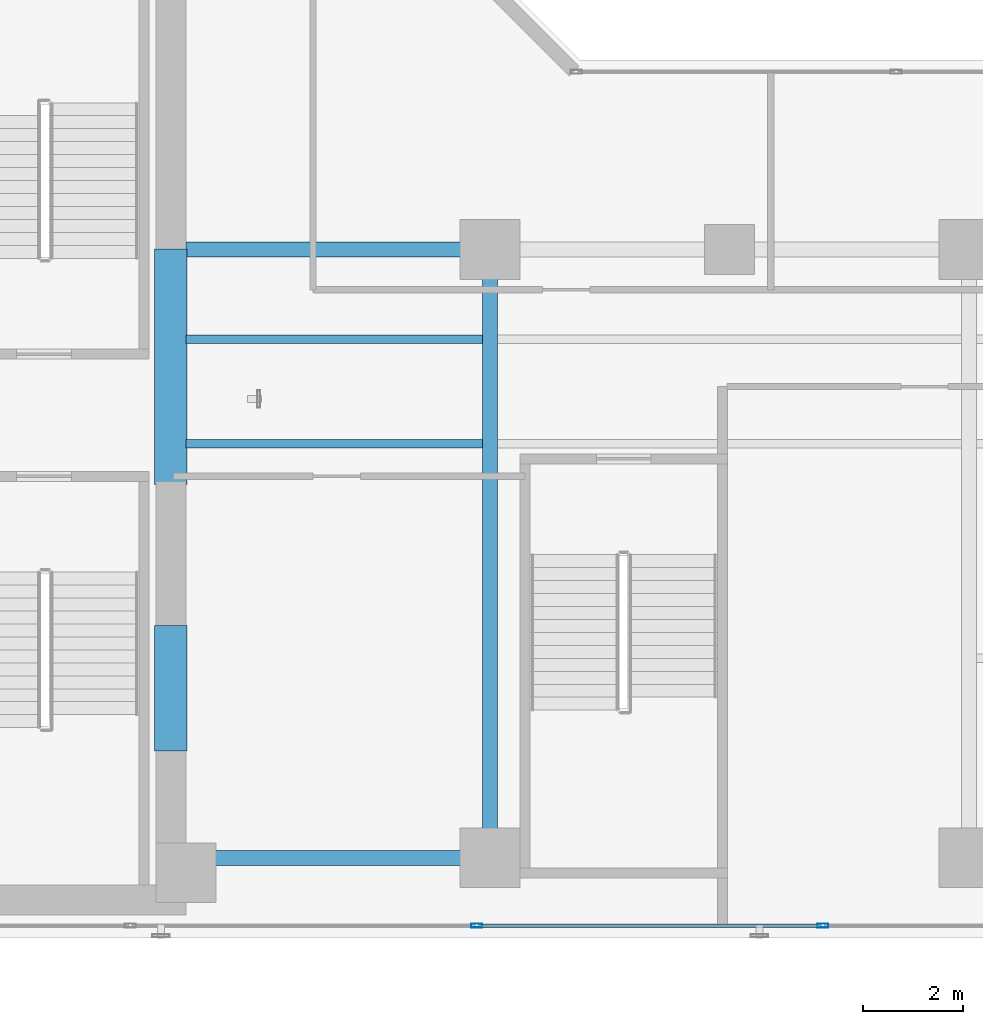
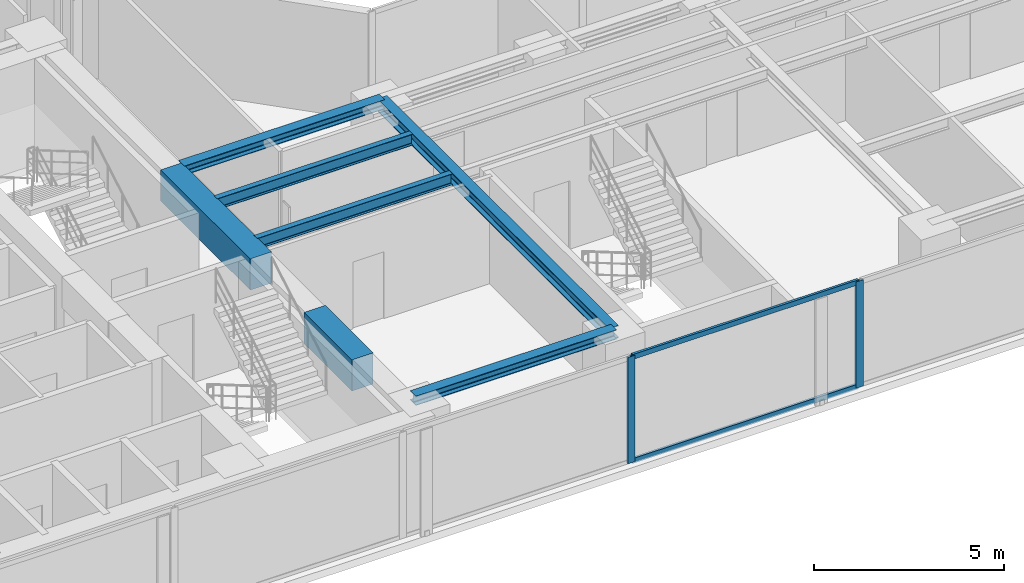
# One storey, part 4 of 26: 7 beams, 4 members, 1 element without a shape of its own.
"""IFC4 building model written with IfcOpenShell, lengths in metres."""

from ifc_helpers import new_model, si_unit, direction, frame, origin, origin_with_axes, origin_2d, place, context, subcontext, project, spatial, rectangle, hollow_rectangle, i_section, extrude, source, transform, mapped, material, layer, layer_set, material_profile, profile_set, type_object, element, aggregate, save


model = new_model("IFC4")

# Units and contexts
model_context = context("Model", 3, precision=1e-05, world=origin(), true_north=direction((0.0, 1.0)))
body_context = subcontext(model_context, "Body", "Model", "MODEL_VIEW")
ifc_project = project(units=[si_unit("LENGTHUNIT", "METRE"), si_unit("AREAUNIT", "SQUARE_METRE"), si_unit("VOLUMEUNIT", "CUBIC_METRE"), si_unit("PLANEANGLEUNIT", "RADIAN"), si_unit("MASSUNIT", "GRAM", prefix="KILO")], contexts=[model_context])

# Site, building, storey
site_placement = place(None, origin())
site = spatial("IfcSite", under=ifc_project, at=site_placement, CompositionType="ELEMENT")
building_placement = place(site_placement, origin())
building = spatial("IfcBuilding", under=site, at=building_placement, Name="Kolvaren Waterfront Exchange", CompositionType="ELEMENT")
storey_placement = place(building_placement, frame((0.0, 0.0, 195.60009765625)))
storey = spatial("IfcBuildingStorey", under=building, at=storey_placement, Name="L50", CompositionType="ELEMENT", Elevation=195.60009765625)

# Beams
ifc_material_1 = material(Name="Steel S355", Category="steel")
ifc_material_profile_1 = material_profile(ifc_material_1, i_section(OverallWidth=0.300048828125, OverallDepth=0.300048828125, WebThickness=0.010986328125, FlangeThickness=0.01904296875, FilletRadius=0.027099609375, at=origin_2d()), Name="HEB300")
ifc_profile_set_1 = profile_set([ifc_material_profile_1], Name="Steel S355")
beam_type_1 = type_object("IfcBeamType", Name="STR-BM-HEB300", PredefinedType="SPANDREL", material=ifc_profile_set_1)
for number, where, z_axis, x_axis, name in (
    (1, (21.10009765625, 5.199951171875, 3.27001953125), (1.0, 0.0, 0.0), (0.0, 1.0, 0.0), "L50 east-arm spandrel S1"),
    (2, (21.10009765625, 17.39990234375, 3.27001953125), (1.0, 0.0, 0.0), (0.0, 1.0, 0.0), "L50 east-arm spandrel N1"),
):
    element("IfcBeam", number, at=place(storey_placement, frame(where, z_axis=z_axis, x_axis=x_axis)), inside=storey, type_object=beam_type_1, Name=name, PredefinedType="SPANDREL", context=body_context, shape_type="SweptSolid", body=[
        extrude(i_section(OverallWidth=0.300048828125, OverallDepth=0.300048828125, WebThickness=0.010986328125, FlangeThickness=0.01904296875, FilletRadius=0.027099609375, at=origin_2d()), origin(), (0.0, 0.0, 1.0), 6.099853515625),
    ])
ifc_material_profile_2 = material_profile(ifc_material_1, i_section(OverallWidth=0.300048828125, OverallDepth=0.39990234375, WebThickness=0.013427734375, FlangeThickness=0.02392578125, FilletRadius=0.027099609375, at=origin_2d()), Name="HEB400")
ifc_profile_set_2 = profile_set([ifc_material_profile_2], Name="Steel S355")
beam_type_2 = type_object("IfcBeamType", Name="STR-BM-HEB400", PredefinedType="BEAM", material=ifc_profile_set_2)
beam_1_placement = place(storey_placement, frame((27.199951171875, 5.199951171875, 3.219970703125), z_axis=(0.0, 1.0, 0.0), x_axis=(-1.0, 0.0, 0.0)))
element("IfcBeam", 3, at=beam_1_placement, inside=storey, type_object=beam_type_2, Name="L50 east-arm transverse girder X27", PredefinedType="BEAM", context=body_context, shape_type="SweptSolid", body=[
    extrude(i_section(OverallWidth=0.300048828125, OverallDepth=0.39990234375, WebThickness=0.013427734375, FlangeThickness=0.02392578125, FilletRadius=0.027099609375, at=origin_2d()), origin(), (0.0, 0.0, 1.0), 12.199951171875),
])
ifc_material_profile_3 = material_profile(ifc_material_1, i_section(OverallWidth=0.169921875, OverallDepth=0.360107421875, WebThickness=0.008056640625, FlangeThickness=0.0126953125, FilletRadius=0.01806640625, at=origin_2d()), Name="IPE360")
ifc_profile_set_3 = profile_set([ifc_material_profile_3], Name="Steel S355")
beam_type_3 = type_object("IfcBeamType", Name="STR-BM-IPE360", PredefinedType="JOIST", material=ifc_profile_set_3)
for number, where, z_axis, x_axis, name in (
    (4, (21.10009765625, 13.5, 3.239990234375), (1.0, 0.0, 0.0), (0.0, 1.0, 0.0), "L50 east-arm composite joist 1A"),
    (5, (21.10009765625, 15.60009765625, 3.239990234375), (1.0, 0.0, 0.0), (0.0, 1.0, 0.0), "L50 east-arm composite joist 1C"),
):
    element("IfcBeam", number, at=place(storey_placement, frame(where, z_axis=z_axis, x_axis=x_axis)), inside=storey, type_object=beam_type_3, Name=name, PredefinedType="JOIST", context=body_context, shape_type="SweptSolid", body=[
        extrude(i_section(OverallWidth=0.169921875, OverallDepth=0.360107421875, WebThickness=0.008056640625, FlangeThickness=0.0126953125, FilletRadius=0.01806640625, at=origin_2d()), origin(), (0.0, 0.0, 1.0), 5.947998046875),
    ])
ifc_material_2 = material(Name="Concrete C60/75", Category="concrete")
ifc_material_profile_4 = material_profile(ifc_material_2, rectangle(XDim=0.64990234375, YDim=1.0, at=origin_2d()), Name="RC-CB-1000x650")
ifc_profile_set_4 = profile_set([ifc_material_profile_4], Name="Concrete C60/75")
beam_type_4 = type_object("IfcBeamType", Name="STR-CB-1000", PredefinedType="SPANDREL", material=ifc_profile_set_4)
beam_2_placement = place(storey_placement, frame((20.800048828125, 7.340087890625, 2.919921875), z_axis=(0.0, 1.0, 0.0), x_axis=(-1.0, 0.0, 0.0)))
element("IfcBeam", 6, at=beam_2_placement, inside=storey, type_object=beam_type_4, Name="L50 core coupling beam 1", PredefinedType="SPANDREL", context=body_context, shape_type="SweptSolid", body=[
    extrude(rectangle(XDim=0.64990234375, YDim=1.0, at=origin_2d()), origin(), (0.0, 0.0, 1.0), 2.52001953125),
])
beam_3_placement = place(storey_placement, frame((20.800048828125, 12.68994140625, 2.919921875), z_axis=(0.0, 1.0, 0.0), x_axis=(-1.0, 0.0, 0.0)))
element("IfcBeam", 7, at=beam_3_placement, inside=storey, type_object=beam_type_4, Name="L50 core coupling beam 2", PredefinedType="SPANDREL", context=body_context, shape_type="SweptSolid", body=[
    extrude(rectangle(XDim=0.64990234375, YDim=1.0, at=origin_2d()), origin(), (0.0, 0.0, 1.0), 4.719970703125),
])

# Curtain wall, members
ifc_material_3 = material(Name="Anodised bronze aluminium 6063-T6", Category="aluminium")
ifc_layer = layer(ifc_material_3, 0.219970703125, Name="Anodised bronze aluminium 6063-T6")
ifc_layer_set = layer_set([ifc_layer], Name="Anodised bronze aluminium 6063-T6")
curtain_wall_type = type_object("IfcCurtainWallType", Name="ARC-CW-SYS1", PredefinedType="USERDEFINED", material=ifc_layer_set)
curtain_wall_placement = place(storey_placement, origin())
curtain_wall = element("IfcCurtainWall", 8, at=curtain_wall_placement, inside=storey, type_object=curtain_wall_type, Name="L50 stick curtain wall CW1 (CW-L50-S)", ObjectType="STICK CURTAIN WALL", PredefinedType="USERDEFINED")
ifc_material_4 = material(Name="Anodised aluminium 6063-T6", Category="aluminium")
ifc_material_profile_5 = material_profile(ifc_material_4, hollow_rectangle(XDim=0.080078125, YDim=0.219970703125, WallThickness=0.0048828125, at=origin_2d()), Name="ALU-MUL-220x80x5")
ifc_profile_set_5 = profile_set([ifc_material_profile_5], Name="Anodised aluminium 6063-T6")
member_type_1 = type_object("IfcMemberType", Name="ARC-CWM-220", PredefinedType="MULLION", material=ifc_profile_set_5)
shared_shape_1 = source(origin_with_axes(), body_context, "Body", "SweptSolid", [
    extrude(hollow_rectangle(XDim=0.080078125, YDim=0.219970703125, WallThickness=0.0048828125, at=origin_2d()), origin(), (0.0, 0.0, 1.0), 3.419921875),
])
member_1_placement = place(storey_placement, frame((26.928466796875, 3.840087890625, 0.0), z_axis=(0.0, 0.0, 1.0), x_axis=(0.0, 1.0, 0.0)))
member_1 = element("IfcMember", 9, at=member_1_placement, type_object=member_type_1, Name="CW1 mullion 4", PredefinedType="MULLION", context=body_context, shape_type="MappedRepresentation", body=[
    mapped(shared_shape_1, transform((0.0, 0.0, 0.0), x_axis=(1.0, 0.0, 0.0), y_axis=(0.0, 1.0, 0.0), z_axis=(0.0, 0.0, 1.0), scale=1.0)),
])
member_2_placement = place(storey_placement, frame((33.871337890625, 3.840087890625, 0.0), z_axis=(0.0, 0.0, 1.0), x_axis=(0.0, 1.0, 0.0)))
member_2 = element("IfcMember", 10, at=member_2_placement, type_object=member_type_1, Name="CW1 mullion 5", PredefinedType="MULLION", context=body_context, shape_type="MappedRepresentation", body=[
    mapped(shared_shape_1, transform((0.0, 0.0, 0.0), x_axis=(1.0, 0.0, 0.0), y_axis=(0.0, 1.0, 0.0), z_axis=(0.0, 0.0, 1.0), scale=1.0)),
])
ifc_material_profile_6 = material_profile(ifc_material_4, hollow_rectangle(XDim=0.074951171875, YDim=0.159912109375, WallThickness=0.00439453125, at=origin_2d()), Name="ALU-TRN-160x75x4.5")
ifc_profile_set_6 = profile_set([ifc_material_profile_6], Name="Anodised aluminium 6063-T6")
member_type_2 = type_object("IfcMemberType", Name="ARC-CWT-160", PredefinedType="USERDEFINED", material=ifc_profile_set_6)
shared_shape_2 = source(origin_with_axes(), body_context, "Body", "SweptSolid", [
    extrude(hollow_rectangle(XDim=0.074951171875, YDim=0.159912109375, WallThickness=0.00439453125, at=origin_2d()), origin(), (0.0, 0.0, 1.0), 6.863037109375),
])
member_3_placement = place(storey_placement, frame((26.968505859375, 3.840087890625, 0.037353515625), z_axis=(1.0, 0.0, 0.0), x_axis=(0.0, 1.0, 0.0)))
member_3 = element("IfcMember", 11, at=member_3_placement, type_object=member_type_2, Name="CW1 transom 4.1", ObjectType="TRANSOM", PredefinedType="USERDEFINED", context=body_context, shape_type="MappedRepresentation", body=[
    mapped(shared_shape_2, transform((0.0, 0.0, 0.0), x_axis=(1.0, 0.0, 0.0), y_axis=(0.0, 1.0, 0.0), z_axis=(0.0, 0.0, 1.0), scale=1.0)),
])
member_4_placement = place(storey_placement, frame((26.968505859375, 3.840087890625, 3.38232421875), z_axis=(1.0, 0.0, 0.0), x_axis=(0.0, 1.0, 0.0)))
member_4 = element("IfcMember", 12, at=member_4_placement, type_object=member_type_2, Name="CW1 transom 4.2", ObjectType="TRANSOM", PredefinedType="USERDEFINED", context=body_context, shape_type="MappedRepresentation", body=[
    mapped(shared_shape_2, transform((0.0, 0.0, 0.0), x_axis=(1.0, 0.0, 0.0), y_axis=(0.0, 1.0, 0.0), z_axis=(0.0, 0.0, 1.0), scale=1.0)),
])
aggregate(curtain_wall, [member_1, member_2, member_3, member_4])

save(model, "model.ifc")
